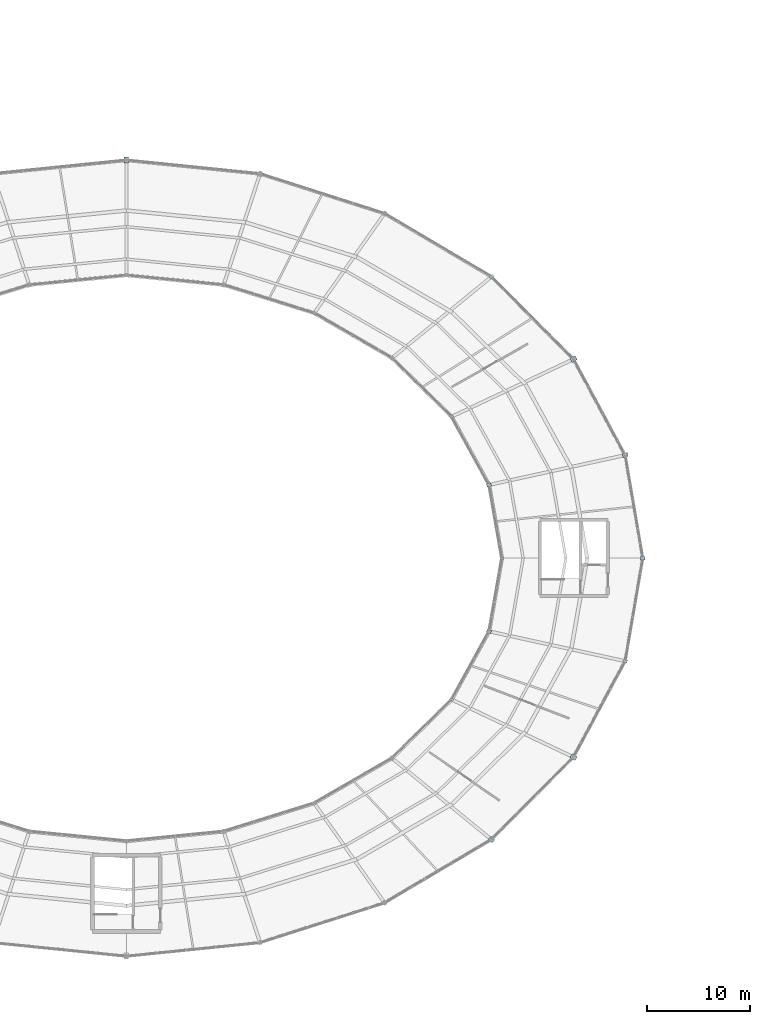
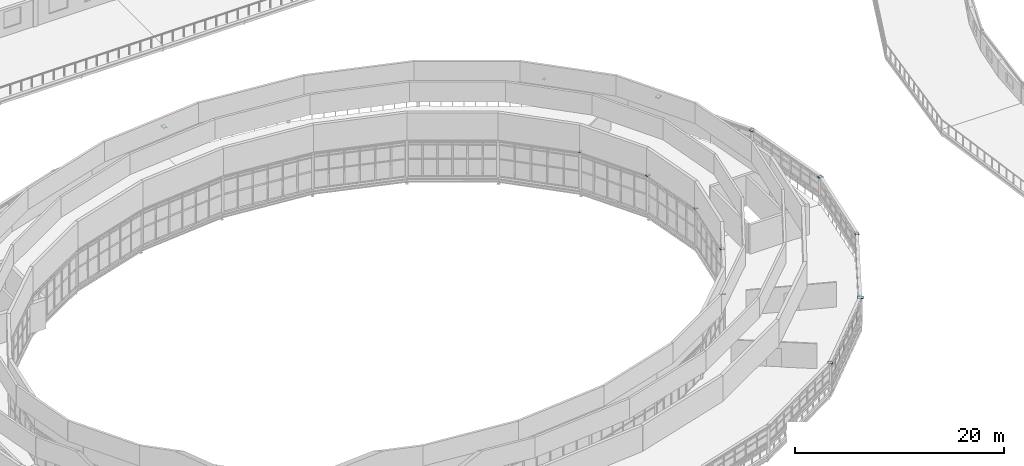
# One storey, part 97 of 123: 13 plates.
"""IFC4 building model written with IfcOpenShell, lengths in metres."""

from ifc_helpers import new_model, si_unit, direction, frame, origin, origin_2d, place, context, subcontext, project, spatial, rectangle, extrude, material, layer, layer_set, type_object, element, save


model = new_model("IFC4")

# Units and contexts
model_context = context("Model", 3, precision=1e-05, world=origin(), true_north=direction((0.0, 1.0)))
body_context = subcontext(model_context, "Body", "Model", "MODEL_VIEW")
ifc_project = project(units=[si_unit("LENGTHUNIT", "METRE"), si_unit("AREAUNIT", "SQUARE_METRE"), si_unit("VOLUMEUNIT", "CUBIC_METRE"), si_unit("PLANEANGLEUNIT", "RADIAN"), si_unit("MASSUNIT", "GRAM", prefix="KILO")], contexts=[model_context])

# Site, building, storey
site_placement = place(None, origin())
site = spatial("IfcSite", under=ifc_project, at=site_placement, CompositionType="ELEMENT")
building_placement = place(site_placement, origin())
building = spatial("IfcBuilding", under=site, at=building_placement, Name="Kildeholm Park Wholesale Market", CompositionType="ELEMENT")
storey_placement = place(building_placement, frame((0.0, 0.0, 9.60009765625)))
storey = spatial("IfcBuildingStorey", under=building, at=storey_placement, Name="L02", CompositionType="ELEMENT", Elevation=9.60009765625)

# Plates
ifc_material = material(Name="Steel S355", Category="steel")
ifc_layer_1 = layer(ifc_material, 0.030029296875)
ifc_layer_set_1 = layer_set([ifc_layer_1], Name="Steel S355")
plate_type_1 = type_object("IfcPlateType", Name="Steel connection plate BP-01 450x320x30", PredefinedType="SHEET", material=ifc_layer_set_1)
plate_placement = place(storey_placement, frame((149.199951171875, 89.5, 3.205078125), z_axis=(0.0, 0.0, 1.0), x_axis=(1.0, 0.0, 0.0)))
element("IfcPlate", 1, at=plate_placement, inside=storey, type_object=plate_type_1, Name="Arch springing bearing plate MD-01 PLT-0007", PredefinedType="SHEET", context=body_context, shape_type="SweptSolid", body=[
    extrude(rectangle(XDim=0.449951171875, YDim=0.320068359375, at=origin_2d()), origin(), (0.0, 0.0, 1.0), 0.030029296875),
])
ifc_layer_2 = layer(ifc_material, 0.034912109375)
ifc_layer_set_2 = layer_set([ifc_layer_2], Name="Steel S355")
plate_type_2 = type_object("IfcPlateType", Name="Steel connection plate BP-02 520x380x35", PredefinedType="SHEET", material=ifc_layer_set_2)
for number, where, z_axis, x_axis, name in (
    (2, (147.489013671875, 99.51611328125, 3.20263671875), (0.0, 0.0, 1.0), (0.965925826289, 0.258819045103, 0.0), "Arch springing bearing plate MD-02 PLT-0011"),
    (3, (134.4970703125, 62.135009765625, 3.20263671875), (0.0, 0.0, 1.0), (0.707106781187, -0.707106781187, 0.0), "Arch springing bearing plate MD-22 PLT-0116"),
):
    element("IfcPlate", number, at=place(storey_placement, frame(where, z_axis=z_axis, x_axis=x_axis)), inside=storey, type_object=plate_type_2, Name=name, PredefinedType="SHEET", context=body_context, shape_type="SweptSolid", body=[
        extrude(rectangle(XDim=0.52001953125, YDim=0.3798828125, at=origin_2d()), origin(), (0.0, 0.0, 1.0), 0.034912109375),
    ])
ifc_layer_3 = layer(ifc_material, 0.0380859375)
ifc_layer_set_3 = layer_set([ifc_layer_3], Name="Steel S355")
plate_type_3 = type_object("IfcPlateType", Name="Steel connection plate BP-03 580x440x38", PredefinedType="SHEET", material=ifc_layer_set_3)
for number, where, z_axis, x_axis, name in (
    (4, (142.47412109375, 108.85009765625, 3.200927734375), (0.0, 0.0, 1.0), (0.866025403784, 0.5, 0.0), "Arch springing bearing plate MD-03 PLT-0015"),
    (5, (99.0, 128.199951171875, 3.200927734375), (0.0, 0.0, 1.0), (0.0, 1.0, 0.0), "Arch springing bearing plate MD-07 PLT-0036"),
    (6, (142.47412109375, 70.14990234375, 3.200927734375), (0.0, 0.0, 1.0), (0.866025403784, -0.5, 0.0), "Arch springing bearing plate MD-23 PLT-0120"),
):
    element("IfcPlate", number, at=place(storey_placement, frame(where, z_axis=z_axis, x_axis=x_axis)), inside=storey, type_object=plate_type_3, Name=name, PredefinedType="SHEET", context=body_context, shape_type="SweptSolid", body=[
        extrude(rectangle(XDim=0.580078125, YDim=0.43994140625, at=origin_2d()), origin(), (0.0, 0.0, 1.0), 0.0380859375),
    ])
ifc_layer_4 = layer(ifc_material, 0.02490234375)
ifc_layer_set_4 = layer_set([ifc_layer_4], Name="Steel S355")
plate_type_4 = type_object("IfcPlateType", Name="Steel connection plate BP-04 400x280x25", PredefinedType="SHEET", material=ifc_layer_set_4)
for number, where, z_axis, x_axis, name in (
    (7, (134.4970703125, 116.864990234375, 3.20751953125), (0.0, 0.0, 1.0), (0.707106781187, 0.707106781187, 0.0), "Arch springing bearing plate MD-04 PLT-0019"),
    (8, (147.489013671875, 79.48388671875, 3.20751953125), (0.0, 0.0, 1.0), (0.965925826289, -0.258819045103, 0.0), "Arch springing bearing plate MD-24 PLT-0124"),
):
    element("IfcPlate", number, at=place(storey_placement, frame(where, z_axis=z_axis, x_axis=x_axis)), inside=storey, type_object=plate_type_4, Name=name, PredefinedType="SHEET", context=body_context, shape_type="SweptSolid", body=[
        extrude(rectangle(XDim=0.39990234375, YDim=0.280029296875, at=origin_2d()), origin(), (0.0, 0.0, 1.0), 0.02490234375),
    ])
ifc_layer_5 = layer(ifc_material, 0.02001953125)
ifc_layer_set_5 = layer_set([ifc_layer_5], Name="Steel S355")
plate_type_5 = type_object("IfcPlateType", Name="Steel connection plate EP-01 360x260x20", PredefinedType="SHEET", material=ifc_layer_set_5)
for number, where, z_axis, x_axis, name in (
    (9, (135.5, 89.5, 4.349853515625), (0.0, 0.0, 1.0), (1.0, 0.0, 0.0), "Arch springing end plate IN-01 PLT-0008"),
    (10, (130.610107421875, 103.25, 4.349853515625), (0.0, 0.0, 1.0), (0.866025403784, 0.5, 0.0), "Arch springing end plate IN-03 PLT-0016"),
    (11, (130.610107421875, 75.75, 4.349853515625), (0.0, 0.0, 1.0), (0.866025403784, -0.5, 0.0), "Arch springing end plate IN-23 PLT-0121"),
):
    element("IfcPlate", number, at=place(storey_placement, frame(where, z_axis=z_axis, x_axis=x_axis)), inside=storey, type_object=plate_type_5, Name=name, PredefinedType="SHEET", context=body_context, shape_type="SweptSolid", body=[
        extrude(rectangle(XDim=0.360107421875, YDim=0.260009765625, at=origin_2d()), origin(), (0.0, 0.0, 1.0), 0.02001953125),
    ])
ifc_layer_6 = layer(ifc_material, 0.02197265625)
ifc_layer_set_6 = layer_set([ifc_layer_6], Name="Steel S355")
plate_type_6 = type_object("IfcPlateType", Name="Steel connection plate EP-02 440x320x22", PredefinedType="SHEET", material=ifc_layer_set_6)
for number, where, z_axis, x_axis, name in (
    (12, (134.256103515625, 96.617919921875, 4.348876953125), (0.0, 0.0, 1.0), (0.965925826289, 0.258819045103, 0.0), "Arch springing end plate IN-02 PLT-0012"),
    (13, (134.256103515625, 82.382080078125, 4.348876953125), (0.0, 0.0, 1.0), (0.965925826289, -0.258819045103, 0.0), "Arch springing end plate IN-24 PLT-0125"),
):
    element("IfcPlate", number, at=place(storey_placement, frame(where, z_axis=z_axis, x_axis=x_axis)), inside=storey, type_object=plate_type_6, Name=name, PredefinedType="SHEET", context=body_context, shape_type="SweptSolid", body=[
        extrude(rectangle(XDim=0.43994140625, YDim=0.320068359375, at=origin_2d()), origin(), (0.0, 0.0, 1.0), 0.02197265625),
    ])

save(model, "model.ifc")
